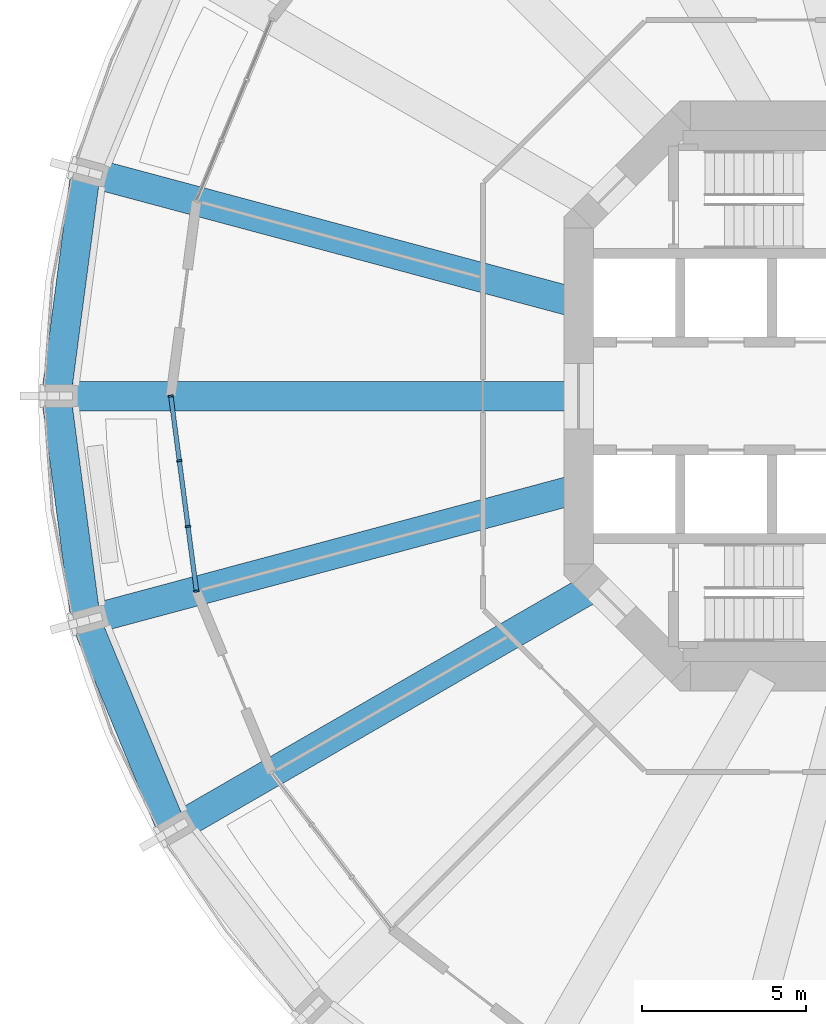
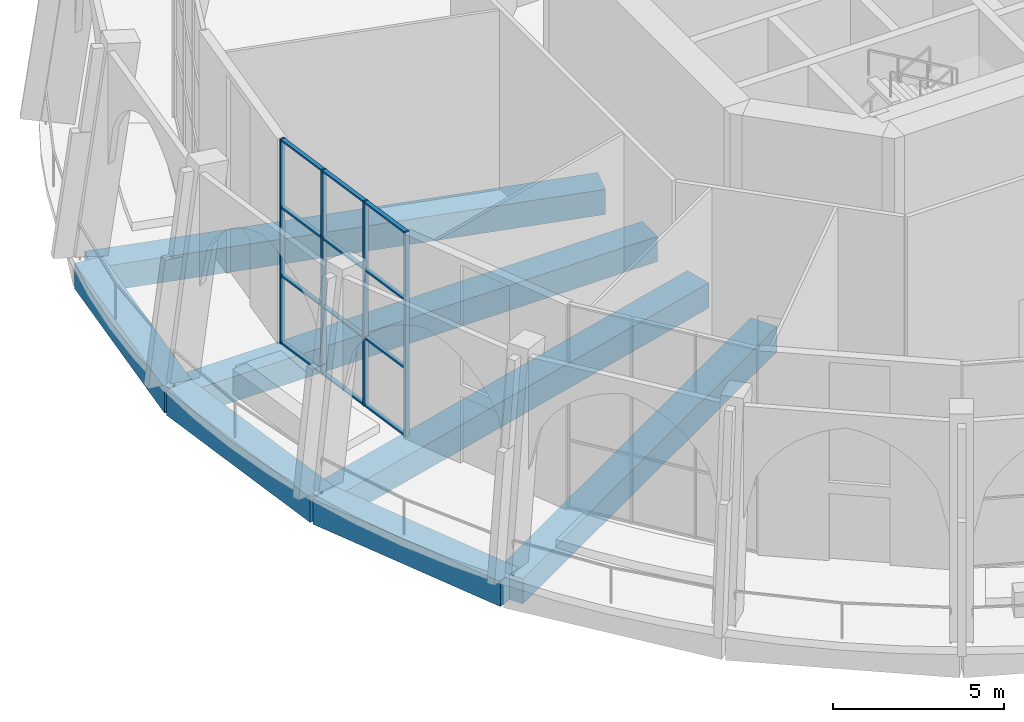
# One storey, part 4 of 19: 16 members, 7 beams, 1 element without a shape of its own.
"""IFC4 building model written with IfcOpenShell, lengths in metres."""

import ifcopenshell
import ifcopenshell.guid

model = None  # the IFC model being written
_history = None  # IfcOwnerHistory: only IFC2X3 demands one
_inside = {}  # id of a spatial element -> (the spatial element, [elements in it])
_under = {}  # id of a project, library or spatial element -> (it, [spatial elements below it])
_declared = {}  # id of a project -> (the project, [libraries it declares])
_typed = {}  # id of a type object -> (the type object, [elements of that type])
_made_of = {}  # id of a material, layer set ... -> (it, [elements and type objects made of it])


def new_model(schema):
    """Start an empty IFC model of exactly this schema.

    Asked for "IFC4X3", IfcOpenShell would pick the latest addendum, in which some entities
    have other attributes; the version numbers below select the first issue.
    IFC2X3 requires an IfcOwnerHistory on every rooted entity: one is made here for all.
    """
    global model, _history
    if schema == "IFC4X3":
        model = ifcopenshell.file(schema_version=(4, 3, 0, 0))
    else:
        model = ifcopenshell.file(schema=schema)
    _inside.clear()
    _under.clear()
    _declared.clear()
    _typed.clear()
    _made_of.clear()
    _history = None
    if model.schema == "IFC2X3":
        org = make("IfcOrganization", Name="unknown")
        user = make(
            "IfcPersonAndOrganization",
            ThePerson=make("IfcPerson", FamilyName="unknown"),
            TheOrganization=org,
        )
        app = make(
            "IfcApplication",
            ApplicationDeveloper=org,
            Version="unknown",
            ApplicationFullName="unknown",
            ApplicationIdentifier="unknown",
        )
        _history = make(
            "IfcOwnerHistory",
            OwningUser=user,
            OwningApplication=app,
            ChangeAction="ADDED",
            CreationDate=0,
        )
    return model


def make(cls, **values):
    """One entity of the class cls with the attributes given. An attribute that is None is left unset."""
    return model.create_entity(
        cls, **{name: value for name, value in values.items() if value is not None}
    )


def rooted(cls, **values):
    """An entity with a GlobalId (a new one), such as an element, a storey or a relation."""
    return make(cls, GlobalId=ifcopenshell.guid.new(), OwnerHistory=_history, **values)


def si_unit(unit_type, name, prefix=None):
    """IfcSIUnit, for example si_unit("LENGTHUNIT", "METRE", prefix="MILLI")."""
    return make("IfcSIUnit", UnitType=unit_type, Prefix=prefix, Name=name)


def assignment(units):
    """IfcUnitAssignment: the units of a project."""
    return None if units is None else make("IfcUnitAssignment", Units=units)


def point(xyz):
    """IfcCartesianPoint."""
    return None if xyz is None else make("IfcCartesianPoint", Coordinates=xyz)


def direction(xyz):
    """IfcDirection."""
    return None if xyz is None else make("IfcDirection", DirectionRatios=xyz)


def frame(location, z_axis=None, x_axis=None):
    """IfcAxis2Placement3D, a coordinate frame: its origin and axes. An axis left out is left unset."""
    return make(
        "IfcAxis2Placement3D",
        Location=point(location),
        Axis=direction(z_axis),
        RefDirection=direction(x_axis),
    )


def frame_2d(location, x_axis=None):
    """IfcAxis2Placement2D, a coordinate frame in the plane: its origin and x axis."""
    return make(
        "IfcAxis2Placement2D", Location=point(location), RefDirection=direction(x_axis)
    )


def origin():
    """The frame at (0, 0, 0) with its axes left unset."""
    return frame((0.0, 0.0, 0.0))


def origin_2d():
    """The frame at (0, 0) in the plane with its x axis left unset."""
    return frame_2d((0.0, 0.0))


def place(relative_to, where):
    """IfcLocalPlacement: puts the frame where relative to a parent placement (None: the world)."""
    return make(
        "IfcLocalPlacement", PlacementRelTo=relative_to, RelativePlacement=where
    )


def context(
    kind, dimensions, precision=None, world=None, true_north=None, identifier=None
):
    """IfcGeometricRepresentationContext, for example the 3D "Model" context."""
    return make(
        "IfcGeometricRepresentationContext",
        ContextIdentifier=identifier,
        ContextType=kind,
        CoordinateSpaceDimension=dimensions,
        Precision=precision,
        WorldCoordinateSystem=world,
        TrueNorth=true_north,
    )


def subcontext(parent, identifier, kind, view, scale=None):
    """IfcGeometricRepresentationSubContext, for example "Body" below "Model"."""
    return make(
        "IfcGeometricRepresentationSubContext",
        ContextIdentifier=identifier,
        ContextType=kind,
        ParentContext=parent,
        TargetScale=scale,
        TargetView=view,
    )


def project(units=None, contexts=None):
    """IfcProject with its units and contexts."""
    return rooted(
        "IfcProject",
        Name="project",
        RepresentationContexts=contexts,
        UnitsInContext=assignment(units),
    )


def spatial(cls, under=None, at=None, **own):
    """A site, building, storey or space (cls), placed at a placement, below another one or the project."""
    s = rooted(cls, ObjectPlacement=at, **own)
    if under is not None:
        _under.setdefault(under.id(), (under, []))[1].append(s)
    return s


def profile(cls, at=None, kind="AREA", **sizes):
    """A parametric profile (cls). Its sizes go by their IFC names, for example OverallWidth=200.0."""
    return make(cls, ProfileType=kind, Position=at, **sizes)


def rectangle(**sizes):
    """IfcRectangleProfileDef."""
    return profile("IfcRectangleProfileDef", **sizes)


def extrude(swept, where, along, depth):
    """IfcExtrudedAreaSolid: the profile swept, set in the frame where, extruded along a direction by depth."""
    return make(
        "IfcExtrudedAreaSolid",
        SweptArea=swept,
        Position=where,
        ExtrudedDirection=direction(along),
        Depth=depth,
    )


def shape(context_of_items, identifier, shape_type, items):
    """IfcShapeRepresentation: the items that make up one representation, for example the "Body"."""
    return make(
        "IfcShapeRepresentation",
        ContextOfItems=context_of_items,
        RepresentationIdentifier=identifier,
        RepresentationType=shape_type,
        Items=items,
    )


def material(Name=None, Category=None):
    """IfcMaterial."""
    return make("IfcMaterial", Name=Name, Category=Category)


def material_profile(
    of_material, cross_section, Name=None, Category=None, Priority=None
):
    """IfcMaterialProfile: a cross section and its material."""
    return make(
        "IfcMaterialProfile",
        Name=Name,
        Material=of_material,
        Profile=cross_section,
        Priority=Priority,
        Category=Category,
    )


def profile_set(profiles, Name=None, composite=None):
    """IfcMaterialProfileSet."""
    return make(
        "IfcMaterialProfileSet",
        Name=Name,
        MaterialProfiles=profiles,
        CompositeProfile=composite,
    )


def made_of(thing, what):
    """Note that an element or type object is made of a material, layer set ...; save() writes the relation."""
    if what is not None:
        _made_of.setdefault(what.id(), (what, []))[1].append(thing)
    return thing


def type_object(cls, material=None, **own):
    """A type object (cls), such as IfcWallType, which elements share."""
    return made_of(rooted(cls, **own), material)


def element(
    cls,
    number,
    at=None,
    inside=None,
    cuts=None,
    type_object=None,
    material=None,
    context=None,
    identifier="Body",
    shape_type=None,
    held_by="IfcProductDefinitionShape",
    body=None,
    shapes=None,
    **own,
):
    """One element of the class cls, such as IfcWall. Its Tag is "e" and its number.

    at: its placement. inside: the storey or other place that contains it. cuts: it is an
    opening in that element (IfcRelVoidsElement). A single representation is given by context,
    identifier, shape_type and body (its items); several are given by shapes. held_by: the class
    of the entity that holds the representations. save() writes the other relations.
    """
    e = rooted(cls, Tag="e%d" % number, ObjectPlacement=at, **own)
    if body is not None:
        shapes = [shape(context, identifier, shape_type, body)]
    if shapes is not None:
        e.Representation = make(held_by, Representations=shapes)
    if inside is not None:
        _inside.setdefault(inside.id(), (inside, []))[1].append(e)
    if cuts is not None:
        rooted(
            "IfcRelVoidsElement", RelatingBuildingElement=cuts, RelatedOpeningElement=e
        )
    if type_object is not None:
        _typed.setdefault(type_object.id(), (type_object, []))[1].append(e)
    return made_of(e, material)


def aggregate(whole, parts):
    """IfcRelAggregates: a whole, such as a stair, and the parts it consists of."""
    return rooted("IfcRelAggregates", RelatingObject=whole, RelatedObjects=parts)


def save(model, path):
    """Write the relations noted so far, then the file.

    IfcRelAggregates (storeys below a building ...), IfcRelContainedInSpatialStructure (elements
    in a storey), IfcRelDefinesByType, IfcRelAssociatesMaterial and IfcRelDeclares: one each for
    every whole, place, type object, material and project.
    """
    for whole, parts in _under.values():
        aggregate(whole, parts)
    for where, things in _inside.values():
        rooted(
            "IfcRelContainedInSpatialStructure",
            RelatedElements=things,
            RelatingStructure=where,
        )
    for kind, things in _typed.values():
        rooted("IfcRelDefinesByType", RelatedObjects=things, RelatingType=kind)
    for what, things in _made_of.values():
        rooted("IfcRelAssociatesMaterial", RelatedObjects=things, RelatingMaterial=what)
    for by, libraries in _declared.values():
        rooted("IfcRelDeclares", RelatingContext=by, RelatedDefinitions=libraries)
    model.write(path)


model = new_model("IFC4")

# Units and contexts
model_context = context("Model", 3, precision=1e-05, world=origin(), true_north=direction((0.0, 1.0)))
body_context = subcontext(model_context, "Body", "Model", "MODEL_VIEW")
ifc_project = project(units=[si_unit("LENGTHUNIT", "METRE"), si_unit("AREAUNIT", "SQUARE_METRE"), si_unit("VOLUMEUNIT", "CUBIC_METRE"), si_unit("PLANEANGLEUNIT", "RADIAN"), si_unit("MASSUNIT", "GRAM", prefix="KILO")], contexts=[model_context])

# Site, building, storey
site_placement = place(None, origin())
site = spatial("IfcSite", under=ifc_project, at=site_placement, CompositionType="ELEMENT")
building_placement = place(site_placement, origin())
building = spatial("IfcBuilding", under=site, at=building_placement, Name="Torre Triforio", CompositionType="ELEMENT")
storey_placement = place(building_placement, frame((0.0, 0.0, 79.0)))
storey = spatial("IfcBuildingStorey", under=building, at=storey_placement, Name="L17", CompositionType="ELEMENT", Elevation=79.0)

# Curtain wall, members
ifc_material_1 = material(Name="Aluminium mullion and transom frame with clear laminated glass", Category="aluminium")
curtain_wall_type = type_object("IfcCurtainWallType", Name="Sky garden conservatory wall ECW3", PredefinedType="NOTDEFINED", material=ifc_material_1)
curtain_wall_placement = place(storey_placement, origin())
curtain_wall = element("IfcCurtainWall", 1, at=curtain_wall_placement, inside=storey, type_object=curtain_wall_type, Name="Conservatory wall L17 bay 13", PredefinedType="NOTDEFINED")
ifc_material_2 = material(Name="Anodised aluminium extrusion", Category="aluminium")
ifc_material_profile_1 = material_profile(ifc_material_2, rectangle(XDim=0.159912109375, YDim=0.06005859375, at=origin_2d()), Name="ECW3 MULLION 60x160")
ifc_profile_set_1 = profile_set([ifc_material_profile_1], Name="Anodised aluminium extrusion")
member_type_1 = type_object("IfcMemberType", Name="ECW3 mullion 60 x 160", PredefinedType="MULLION", material=ifc_profile_set_1)
member_1_placement = place(storey_placement, frame((-23.0, 0.0, 0.0), z_axis=(0.0, 0.0, 1.0), x_axis=(0.991445593559, 0.130520630599, 0.0)))
member_1 = element("IfcMember", 2, at=member_1_placement, type_object=member_type_1, Name="ECW3 mullion 1", PredefinedType="MULLION", context=body_context, shape_type="SweptSolid", body=[
    extrude(rectangle(XDim=0.159912109375, YDim=0.06005859375, at=origin_2d()), origin(), (0.0, 0.0, 1.0), 7.320068359375),
])
member_2_placement = place(storey_placement, frame((-22.739990234375, -1.974365234375, 0.0), z_axis=(0.0, 0.0, 1.0), x_axis=(0.991445593559, 0.130520630599, 0.0)))
member_2 = element("IfcMember", 3, at=member_2_placement, type_object=member_type_1, Name="ECW3 mullion 2", PredefinedType="MULLION", context=body_context, shape_type="SweptSolid", body=[
    extrude(rectangle(XDim=0.159912109375, YDim=0.06005859375, at=origin_2d()), origin(), (0.0, 0.0, 1.0), 7.320068359375),
])
member_3_placement = place(storey_placement, frame((-22.476318359375, -3.978515625, 0.0), z_axis=(0.0, 0.0, 1.0), x_axis=(0.991445593559, 0.130520630599, 0.0)))
member_3 = element("IfcMember", 4, at=member_3_placement, type_object=member_type_1, Name="ECW3 mullion 3", PredefinedType="MULLION", context=body_context, shape_type="SweptSolid", body=[
    extrude(rectangle(XDim=0.159912109375, YDim=0.06005859375, at=origin_2d()), origin(), (0.0, 0.0, 1.0), 7.320068359375),
])
member_4_placement = place(storey_placement, frame((-22.21630859375, -5.952880859375, 0.0), z_axis=(0.0, 0.0, 1.0), x_axis=(0.991445593559, 0.130520630599, 0.0)))
member_4 = element("IfcMember", 5, at=member_4_placement, type_object=member_type_1, Name="ECW3 mullion 4", PredefinedType="MULLION", context=body_context, shape_type="SweptSolid", body=[
    extrude(rectangle(XDim=0.159912109375, YDim=0.06005859375, at=origin_2d()), origin(), (0.0, 0.0, 1.0), 7.320068359375),
])
ifc_material_profile_2 = material_profile(ifc_material_2, rectangle(XDim=0.139892578125, YDim=0.06005859375, at=origin_2d()), Name="ECW3 TRANSOM 60x140")
ifc_profile_set_2 = profile_set([ifc_material_profile_2], Name="Anodised aluminium extrusion")
member_type_2 = type_object("IfcMemberType", Name="ECW3 transom 60 x 140", PredefinedType="USERDEFINED", material=ifc_profile_set_2)
member_5_placement = place(storey_placement, frame((-22.99609375, -0.02978515625, 0.030029296875), z_axis=(0.130582040663, -0.991437507186, 0.0), x_axis=(0.991437507186, 0.130582040663, 0.0)))
member_5 = element("IfcMember", 6, at=member_5_placement, type_object=member_type_2, Name="ECW3 transom 1.1", ObjectType="TRANSOM", PredefinedType="USERDEFINED", context=body_context, shape_type="SweptSolid", body=[
    extrude(rectangle(XDim=0.139892578125, YDim=0.06005859375, at=origin_2d()), origin(), (0.0, 0.0, 1.0), 1.931396484375),
])
member_6_placement = place(storey_placement, frame((-22.99609375, -0.02978515625, 2.43994140625), z_axis=(0.130582040663, -0.991437507186, 0.0), x_axis=(0.991437507186, 0.130582040663, 0.0)))
member_6 = element("IfcMember", 7, at=member_6_placement, type_object=member_type_2, Name="ECW3 transom 1.2", ObjectType="TRANSOM", PredefinedType="USERDEFINED", context=body_context, shape_type="SweptSolid", body=[
    extrude(rectangle(XDim=0.139892578125, YDim=0.06005859375, at=origin_2d()), origin(), (0.0, 0.0, 1.0), 1.931396484375),
])
member_7_placement = place(storey_placement, frame((-22.99609375, -0.02978515625, 4.8798828125), z_axis=(0.130582040663, -0.991437507186, 0.0), x_axis=(0.991437507186, 0.130582040663, 0.0)))
member_7 = element("IfcMember", 8, at=member_7_placement, type_object=member_type_2, Name="ECW3 transom 1.3", ObjectType="TRANSOM", PredefinedType="USERDEFINED", context=body_context, shape_type="SweptSolid", body=[
    extrude(rectangle(XDim=0.139892578125, YDim=0.06005859375, at=origin_2d()), origin(), (0.0, 0.0, 1.0), 1.931396484375),
])
member_8_placement = place(storey_placement, frame((-22.99609375, -0.02978515625, 7.2900390625), z_axis=(0.130582040663, -0.991437507186, 0.0), x_axis=(0.991437507186, 0.130582040663, 0.0)))
member_8 = element("IfcMember", 9, at=member_8_placement, type_object=member_type_2, Name="ECW3 transom 1.4", ObjectType="TRANSOM", PredefinedType="USERDEFINED", context=body_context, shape_type="SweptSolid", body=[
    extrude(rectangle(XDim=0.139892578125, YDim=0.06005859375, at=origin_2d()), origin(), (0.0, 0.0, 1.0), 1.931396484375),
])
member_9_placement = place(storey_placement, frame((-22.736083984375, -2.004150390625, 0.030029296875), z_axis=(0.130451292622, -0.991454719215, 0.0), x_axis=(0.991454719215, 0.130451292622, 0.0)))
member_9 = element("IfcMember", 10, at=member_9_placement, type_object=member_type_2, Name="ECW3 transom 2.1", ObjectType="TRANSOM", PredefinedType="USERDEFINED", context=body_context, shape_type="SweptSolid", body=[
    extrude(rectangle(XDim=0.139892578125, YDim=0.06005859375, at=origin_2d()), origin(), (0.0, 0.0, 1.0), 1.96142578125),
])
member_10_placement = place(storey_placement, frame((-22.736083984375, -2.004150390625, 2.43994140625), z_axis=(0.130451292622, -0.991454719215, 0.0), x_axis=(0.991454719215, 0.130451292622, 0.0)))
member_10 = element("IfcMember", 11, at=member_10_placement, type_object=member_type_2, Name="ECW3 transom 2.2", ObjectType="TRANSOM", PredefinedType="USERDEFINED", context=body_context, shape_type="SweptSolid", body=[
    extrude(rectangle(XDim=0.139892578125, YDim=0.06005859375, at=origin_2d()), origin(), (0.0, 0.0, 1.0), 1.96142578125),
])
member_11_placement = place(storey_placement, frame((-22.736083984375, -2.004150390625, 4.8798828125), z_axis=(0.130451292622, -0.991454719215, 0.0), x_axis=(0.991454719215, 0.130451292622, 0.0)))
member_11 = element("IfcMember", 12, at=member_11_placement, type_object=member_type_2, Name="ECW3 transom 2.3", ObjectType="TRANSOM", PredefinedType="USERDEFINED", context=body_context, shape_type="SweptSolid", body=[
    extrude(rectangle(XDim=0.139892578125, YDim=0.06005859375, at=origin_2d()), origin(), (0.0, 0.0, 1.0), 1.96142578125),
])
member_12_placement = place(storey_placement, frame((-22.736083984375, -2.004150390625, 7.2900390625), z_axis=(0.130451292622, -0.991454719215, 0.0), x_axis=(0.991454719215, 0.130451292622, 0.0)))
member_12 = element("IfcMember", 13, at=member_12_placement, type_object=member_type_2, Name="ECW3 transom 2.4", ObjectType="TRANSOM", PredefinedType="USERDEFINED", context=body_context, shape_type="SweptSolid", body=[
    extrude(rectangle(XDim=0.139892578125, YDim=0.06005859375, at=origin_2d()), origin(), (0.0, 0.0, 1.0), 1.96142578125),
])
member_13_placement = place(storey_placement, frame((-22.472412109375, -4.00830078125, 0.030029296875), z_axis=(0.130582040663, -0.991437507186, 0.0), x_axis=(0.991437507186, 0.130582040663, 0.0)))
member_13 = element("IfcMember", 14, at=member_13_placement, type_object=member_type_2, Name="ECW3 transom 3.1", ObjectType="TRANSOM", PredefinedType="USERDEFINED", context=body_context, shape_type="SweptSolid", body=[
    extrude(rectangle(XDim=0.139892578125, YDim=0.06005859375, at=origin_2d()), origin(), (0.0, 0.0, 1.0), 1.931396484375),
])
member_14_placement = place(storey_placement, frame((-22.472412109375, -4.00830078125, 2.43994140625), z_axis=(0.130582040663, -0.991437507186, 0.0), x_axis=(0.991437507186, 0.130582040663, 0.0)))
member_14 = element("IfcMember", 15, at=member_14_placement, type_object=member_type_2, Name="ECW3 transom 3.2", ObjectType="TRANSOM", PredefinedType="USERDEFINED", context=body_context, shape_type="SweptSolid", body=[
    extrude(rectangle(XDim=0.139892578125, YDim=0.06005859375, at=origin_2d()), origin(), (0.0, 0.0, 1.0), 1.931396484375),
])
member_15_placement = place(storey_placement, frame((-22.472412109375, -4.00830078125, 4.8798828125), z_axis=(0.130582040663, -0.991437507186, 0.0), x_axis=(0.991437507186, 0.130582040663, 0.0)))
member_15 = element("IfcMember", 16, at=member_15_placement, type_object=member_type_2, Name="ECW3 transom 3.3", ObjectType="TRANSOM", PredefinedType="USERDEFINED", context=body_context, shape_type="SweptSolid", body=[
    extrude(rectangle(XDim=0.139892578125, YDim=0.06005859375, at=origin_2d()), origin(), (0.0, 0.0, 1.0), 1.931396484375),
])
member_16_placement = place(storey_placement, frame((-22.472412109375, -4.00830078125, 7.2900390625), z_axis=(0.130582040663, -0.991437507186, 0.0), x_axis=(0.991437507186, 0.130582040663, 0.0)))
member_16 = element("IfcMember", 17, at=member_16_placement, type_object=member_type_2, Name="ECW3 transom 3.4", ObjectType="TRANSOM", PredefinedType="USERDEFINED", context=body_context, shape_type="SweptSolid", body=[
    extrude(rectangle(XDim=0.139892578125, YDim=0.06005859375, at=origin_2d()), origin(), (0.0, 0.0, 1.0), 1.931396484375),
])
aggregate(curtain_wall, [member_1, member_2, member_3, member_4, member_5, member_6, member_7, member_8, member_9, member_10, member_11, member_12, member_13, member_14, member_15, member_16])

# Beams
ifc_material_3 = material(Name="Concrete C50", Category="concrete")
ifc_material_profile_3 = material_profile(ifc_material_3, rectangle(XDim=0.89990234375, YDim=0.89990234375, at=origin_2d()), Name="RC 900x900")
ifc_profile_set_3 = profile_set([ifc_material_profile_3], Name="Concrete C50")
beam_type_1 = type_object("IfcBeamType", Name="Radial beam RC 900x900 C50", PredefinedType="BEAM", material=ifc_profile_set_3)
beam_1_placement = place(storey_placement, frame((-10.550048828125, 2.826904296875, -0.72998046875), z_axis=(-0.965926784764, 0.258815467997, 0.0), x_axis=(-0.258815467997, -0.965926784764, 0.0)))
element("IfcBeam", 18, at=beam_1_placement, inside=storey, type_object=beam_type_1, Name="BM.R.L17.11", PredefinedType="BEAM", context=body_context, shape_type="SweptSolid", body=[
    extrude(rectangle(XDim=0.89990234375, YDim=0.89990234375, at=origin_2d()), origin(), (0.0, 0.0, 1.0), 15.57763671875),
])
beam_2_placement = place(storey_placement, frame((-10.550048828125, 0.0, -0.72998046875), z_axis=(-1.0, 0.0, 0.0), x_axis=(0.0, -1.0, 0.0)))
element("IfcBeam", 19, at=beam_2_placement, inside=storey, type_object=beam_type_1, Name="BM.R.L17.12", PredefinedType="BEAM", context=body_context, shape_type="SweptSolid", body=[
    extrude(rectangle(XDim=0.89990234375, YDim=0.89990234375, at=origin_2d()), origin(), (0.0, 0.0, 1.0), 15.949951171875),
])
beam_3_placement = place(storey_placement, frame((-10.550048828125, -2.826904296875, -0.72998046875), z_axis=(-0.965926784764, -0.258815467997, 0.0), x_axis=(0.258815467997, -0.965926784764, 0.0)))
element("IfcBeam", 20, at=beam_3_placement, inside=storey, type_object=beam_type_1, Name="BM.R.L17.13", PredefinedType="BEAM", context=body_context, shape_type="SweptSolid", body=[
    extrude(rectangle(XDim=0.89990234375, YDim=0.89990234375, at=origin_2d()), origin(), (0.0, 0.0, 1.0), 15.57763671875),
])
beam_4_placement = place(storey_placement, frame((-10.039794921875, -5.796630859375, -0.72998046875), z_axis=(-0.866030402573, -0.499991341745, 0.0), x_axis=(0.499991341745, -0.866030402573, 0.0)))
element("IfcBeam", 21, at=beam_4_placement, inside=storey, type_object=beam_type_1, Name="BM.R.L17.14", PredefinedType="BEAM", context=body_context, shape_type="SweptSolid", body=[
    extrude(rectangle(XDim=0.89990234375, YDim=0.89990234375, at=origin_2d()), origin(), (0.0, 0.0, 1.0), 14.906982421875),
])
ifc_material_profile_4 = material_profile(ifc_material_3, rectangle(XDim=0.89990234375, YDim=0.89990234375, at=origin_2d()), Name="RC 900x900")
ifc_profile_set_4 = profile_set([ifc_material_profile_4], Name="Concrete C50")
beam_type_2 = type_object("IfcBeamType", Name="Spandrel beam RC 900x900 C50", PredefinedType="SPANDREL", material=ifc_profile_set_4)
for number, where, z_axis, x_axis, name in (
    (22, (-25.596923828125, 6.858642578125, -0.72998046875), (-0.130543064996, -0.991442639885, 0.0), (0.991442639885, -0.130543064996, 0.0), "BM.S.L17.11"),
    (23, (-26.5, 0.0, -0.72998046875), (0.130543064996, -0.991442639885, 0.0), (0.991442639885, 0.130543064996, 0.0), "BM.S.L17.12"),
):
    element("IfcBeam", number, at=place(storey_placement, frame(where, z_axis=z_axis, x_axis=x_axis)), inside=storey, type_object=beam_type_2, Name=name, PredefinedType="SPANDREL", context=body_context, shape_type="SweptSolid", body=[
        extrude(rectangle(XDim=0.89990234375, YDim=0.89990234375, at=origin_2d()), origin(), (0.0, 0.0, 1.0), 6.917724609375),
    ])
beam_5_placement = place(storey_placement, frame((-25.596923828125, -6.858642578125, -0.72998046875), z_axis=(0.382662441128, -0.923888227087, 0.0), x_axis=(0.923888227087, 0.382662441128, 0.0)))
element("IfcBeam", 24, at=beam_5_placement, inside=storey, type_object=beam_type_2, Name="BM.S.L17.13", PredefinedType="SPANDREL", context=body_context, shape_type="SweptSolid", body=[
    extrude(rectangle(XDim=0.89990234375, YDim=0.89990234375, at=origin_2d()), origin(), (0.0, 0.0, 1.0), 6.91796875),
])

save(model, "model.ifc")
